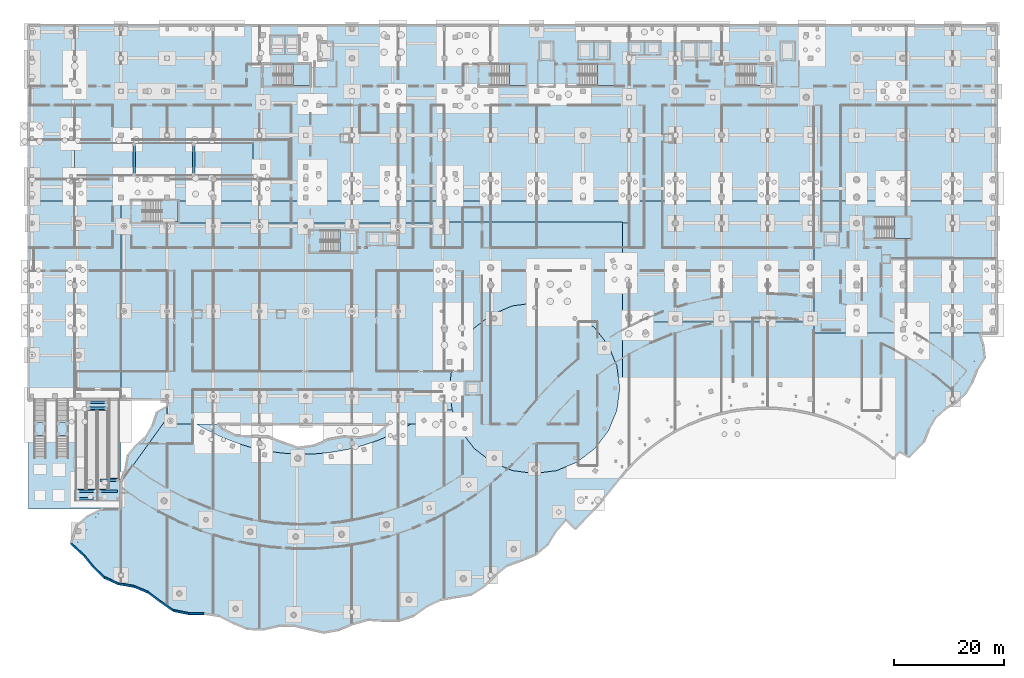
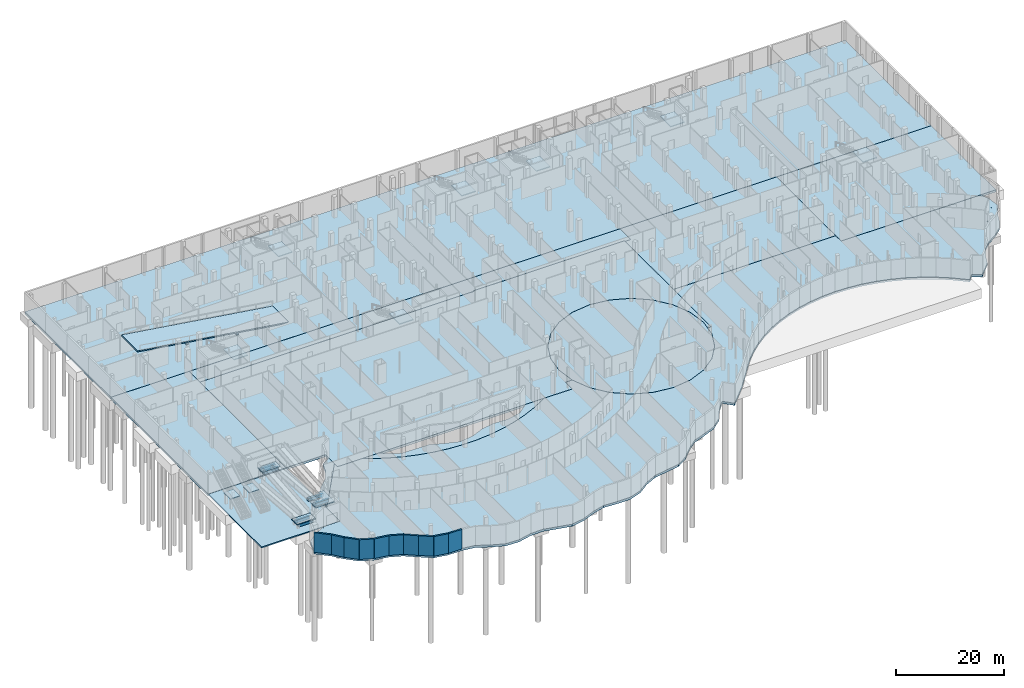
# One storey, part 24 of 45: 24 slabs, 10 walls, 8 beams, 12 elements without a shape of their own.
"""IFC4 building model written with IfcOpenShell, lengths in metres."""

from ifc_helpers import new_model, si_unit, direction, frame, frame_2d, origin, origin_2d, place, context, subcontext, project, spatial, polyline, rectangle, outline, extrude, material, layer, layer_set, material_profile, profile_set, type_object, element, aggregate, save


model = new_model("IFC4")

# Units and contexts
model_context = context("Model", 3, precision=1e-05, world=origin(), true_north=direction((0.0, 1.0)))
body_context = subcontext(model_context, "Body", "Model", "MODEL_VIEW")
ifc_project = project(units=[si_unit("LENGTHUNIT", "METRE"), si_unit("AREAUNIT", "SQUARE_METRE"), si_unit("VOLUMEUNIT", "CUBIC_METRE"), si_unit("PLANEANGLEUNIT", "RADIAN"), si_unit("MASSUNIT", "GRAM", prefix="KILO")], contexts=[model_context])

# Site, building, storey
site_placement = place(None, origin())
site = spatial("IfcSite", under=ifc_project, at=site_placement, CompositionType="ELEMENT")
building_placement = place(site_placement, origin())
building = spatial("IfcBuilding", under=site, at=building_placement, Name="Selatvlak General Hospital", CompositionType="ELEMENT")
storey_placement = place(building_placement, frame((0.0, 0.0, -4.800048828125)))
storey = spatial("IfcBuildingStorey", under=building, at=storey_placement, Name="B1", CompositionType="ELEMENT", Elevation=-4.800048828125)

# Beams
ifc_material_1 = material(Name="Concrete C40/50", Category="concrete")
ifc_material_profile = material_profile(ifc_material_1, rectangle(XDim=0.449951171875, YDim=0.64990234375, at=origin_2d()), Name="RC-BM 450x650")
ifc_profile_set = profile_set([ifc_material_profile], Name="Concrete C40/50")
beam_type = type_object("IfcBeamType", Name="BM-SUB", PredefinedType="BEAM", material=ifc_profile_set)
for number, where, z_axis, x_axis, name in (
    (1, (14.949951171875, 35.25, 0.655029296875), (1.0, 0.0, 0.0), (0.0, 1.0, 0.0), "Beam BMR-B1-2912"),
    (2, (14.949951171875, 33.949951171875, 0.655029296875), (1.0, 0.0, 0.0), (0.0, 1.0, 0.0), "Beam BMR-B1-2913"),
    (3, (16.949951171875, 50.35009765625, 1.85498046875), (1.0, 0.0, 0.0), (0.0, 1.0, 0.0), "Beam BMR-B1-2914"),
    (4, (16.949951171875, 51.449951171875, 1.85498046875), (1.0, 0.0, 0.0), (0.0, 1.0, 0.0), "Beam BMR-B1-2915"),
):
    element("IfcBeam", number, at=place(storey_placement, frame(where, z_axis=z_axis, x_axis=x_axis)), inside=storey, type_object=beam_type, Name=name, PredefinedType="BEAM", context=body_context, shape_type="SweptSolid", body=[
        extrude(rectangle(XDim=0.449951171875, YDim=0.64990234375, at=origin_2d()), origin(), (0.0, 0.0, 1.0), 3.10009765625),
    ])
for number, where, z_axis, x_axis, name in (
    (5, (18.949951171875, 35.25, 3.054931640625), (1.0, 0.0, 0.0), (0.0, 1.0, 0.0), "Beam BMR-B1-2916"),
    (6, (18.949951171875, 37.25, 3.054931640625), (1.0, 0.0, 0.0), (0.0, 1.0, 0.0), "Beam BMR-B1-2917"),
):
    element("IfcBeam", number, at=place(storey_placement, frame(where, z_axis=z_axis, x_axis=x_axis)), inside=storey, type_object=beam_type, Name=name, PredefinedType="BEAM", context=body_context, shape_type="SweptSolid", body=[
        extrude(rectangle(XDim=0.449951171875, YDim=0.64990234375, at=origin_2d()), origin(), (0.0, 0.0, 1.0), 3.199951171875),
    ])
for number, where, z_axis, x_axis, name in (
    (7, (25.199951171875, 92.85009765625, 2.6220703125), (0.0, 1.0, 0.0), (-1.0, 0.0, 0.0), "Vehicle ramp mid-span support beam 25"),
    (8, (36.0, 92.85009765625, 1.02197265625), (0.0, 1.0, 0.0), (-1.0, 0.0, 0.0), "Vehicle ramp mid-span support beam 36"),
):
    element("IfcBeam", number, at=place(storey_placement, frame(where, z_axis=z_axis, x_axis=x_axis)), inside=storey, type_object=beam_type, Name=name, PredefinedType="BEAM", context=body_context, shape_type="SweptSolid", body=[
        extrude(rectangle(XDim=0.449951171875, YDim=0.64990234375, at=origin_2d()), origin(), (0.0, 0.0, 1.0), 5.5),
    ])

# Stair, slab
ifc_material_2 = material(Name="Precast concrete C40/50", Category="concrete")
stair_type_1 = type_object("IfcStairType", Name="STAIR-ST-01", PredefinedType="HALF_TURN_STAIR", material=ifc_material_2)
stair_1_placement = place(storey_placement, origin())
stair_1 = element("IfcStair", 9, at=stair_1_placement, inside=storey, type_object=stair_type_1, Name="B1 Protected exit stair ST-01", PredefinedType="HALF_TURN_STAIR")
ifc_layer_1 = layer(ifc_material_1, 0.199951171875, Name="Concrete C40/50", Category="concrete")
ifc_layer_set_1 = layer_set([ifc_layer_1], Name="Concrete C40/50")
slab_type_1 = type_object("IfcSlabType", Name="SLAB-LND1", PredefinedType="LANDING", material=ifc_layer_set_1)
slab_1_placement = place(storey_placement, frame((0.0, 0.0, 2.199951171875)))
slab_1 = element("IfcSlab", 10, at=slab_1_placement, type_object=slab_type_1, Name="ST-01 landing 1", PredefinedType="LANDING", context=body_context, shape_type="SweptSolid", body=[
    extrude(outline(polyline([(54.06494140625, 109.0), (57.050048828125, 109.0), (57.050048828125, 112.93994140625), (54.06494140625, 112.93994140625), (54.06494140625, 109.0)])), origin(), (0.0, 0.0, 1.0), 0.2001953125),
])
aggregate(stair_1, [slab_1])

stair_type_2 = type_object("IfcStairType", Name="STAIR-ST-02", PredefinedType="HALF_TURN_STAIR", material=ifc_material_2)
stair_2_placement = place(storey_placement, origin())
stair_2 = element("IfcStair", 11, at=stair_2_placement, inside=storey, type_object=stair_type_2, Name="B1 Protected exit stair ST-02", PredefinedType="HALF_TURN_STAIR")
slab_2_placement = place(storey_placement, frame((0.0, 0.0, 2.199951171875)))
slab_2 = element("IfcSlab", 12, at=slab_2_placement, type_object=slab_type_1, Name="ST-02 landing 1", PredefinedType="LANDING", context=body_context, shape_type="SweptSolid", body=[
    extrude(outline(polyline([(93.4150390625, 109.0), (96.39990234375, 109.0), (96.39990234375, 112.93994140625), (93.4150390625, 112.93994140625), (93.4150390625, 109.0)])), origin(), (0.0, 0.0, 1.0), 0.2001953125),
])
aggregate(stair_2, [slab_2])

stair_type_3 = type_object("IfcStairType", Name="STAIR-ST-03", PredefinedType="HALF_TURN_STAIR", material=ifc_material_2)
stair_3_placement = place(storey_placement, origin())
stair_3 = element("IfcStair", 13, at=stair_3_placement, inside=storey, type_object=stair_type_3, Name="B1 Protected exit stair ST-03", PredefinedType="HALF_TURN_STAIR")
slab_3_placement = place(storey_placement, frame((0.0, 0.0, 2.199951171875)))
slab_3 = element("IfcSlab", 14, at=slab_3_placement, type_object=slab_type_1, Name="ST-03 landing 1", PredefinedType="LANDING", context=body_context, shape_type="SweptSolid", body=[
    extrude(outline(polyline([(109.4150390625, 109.0), (112.39990234375, 109.0), (112.39990234375, 112.93994140625), (109.4150390625, 112.93994140625), (109.4150390625, 109.0)])), origin(), (0.0, 0.0, 1.0), 0.2001953125),
])
aggregate(stair_3, [slab_3])

stair_type_4 = type_object("IfcStairType", Name="STAIR-ST-04", PredefinedType="HALF_TURN_STAIR", material=ifc_material_2)
stair_4_placement = place(storey_placement, origin())
stair_4 = element("IfcStair", 15, at=stair_4_placement, inside=storey, type_object=stair_type_4, Name="B1 Protected exit stair ST-04", PredefinedType="HALF_TURN_STAIR")
slab_4_placement = place(storey_placement, frame((0.0, 0.0, 2.199951171875)))
slab_4 = element("IfcSlab", 16, at=slab_4_placement, type_object=slab_type_1, Name="ST-04 landing 1", PredefinedType="LANDING", context=body_context, shape_type="SweptSolid", body=[
    extrude(outline(polyline([(138.215087890625, 109.0), (141.199951171875, 109.0), (141.199951171875, 112.93994140625), (138.215087890625, 112.93994140625), (138.215087890625, 109.0)])), origin(), (0.0, 0.0, 1.0), 0.2001953125),
])
aggregate(stair_4, [slab_4])

stair_type_5 = type_object("IfcStairType", Name="STAIR-ST-05", PredefinedType="HALF_TURN_STAIR", material=ifc_material_2)
stair_5_placement = place(storey_placement, origin())
stair_5 = element("IfcStair", 17, at=stair_5_placement, inside=storey, type_object=stair_type_5, Name="B1 Protected exit stair ST-05", PredefinedType="HALF_TURN_STAIR")
slab_5_placement = place(storey_placement, frame((0.0, 0.0, 2.199951171875)))
slab_5 = element("IfcSlab", 18, at=slab_5_placement, type_object=slab_type_1, Name="ST-05 landing 1", PredefinedType="LANDING", context=body_context, shape_type="SweptSolid", body=[
    extrude(outline(polyline([(62.614990234375, 78.800048828125), (65.60009765625, 78.800048828125), (65.60009765625, 82.739990234375), (62.614990234375, 82.739990234375), (62.614990234375, 78.800048828125)])), origin(), (0.0, 0.0, 1.0), 0.2001953125),
])
aggregate(stair_5, [slab_5])

stair_type_6 = type_object("IfcStairType", Name="STAIR-ST-06", PredefinedType="HALF_TURN_STAIR", material=ifc_material_2)
stair_6_placement = place(storey_placement, origin())
stair_6 = element("IfcStair", 19, at=stair_6_placement, inside=storey, type_object=stair_type_6, Name="B1 Protected exit stair ST-06", PredefinedType="HALF_TURN_STAIR")
slab_6_placement = place(storey_placement, frame((0.0, 0.0, 2.199951171875)))
slab_6 = element("IfcSlab", 20, at=slab_6_placement, type_object=slab_type_1, Name="ST-06 landing 1", PredefinedType="LANDING", context=body_context, shape_type="SweptSolid", body=[
    extrude(outline(polyline([(163.4150390625, 81.199951171875), (166.39990234375, 81.199951171875), (166.39990234375, 85.139892578125), (163.4150390625, 85.139892578125), (163.4150390625, 81.199951171875)])), origin(), (0.0, 0.0, 1.0), 0.2001953125),
])
aggregate(stair_6, [slab_6])

stair_type_7 = type_object("IfcStairType", Name="STAIR-ST-07", PredefinedType="HALF_TURN_STAIR", material=ifc_material_2)
stair_7_placement = place(storey_placement, origin())
stair_7 = element("IfcStair", 21, at=stair_7_placement, inside=storey, type_object=stair_type_7, Name="B1 Protected exit stair ST-07", PredefinedType="HALF_TURN_STAIR")
slab_7_placement = place(storey_placement, frame((0.0, 0.0, 2.199951171875)))
slab_7 = element("IfcSlab", 22, at=slab_7_placement, type_object=slab_type_1, Name="ST-07 landing 1", PredefinedType="LANDING", context=body_context, shape_type="SweptSolid", body=[
    extrude(outline(polyline([(30.215087890625, 84.199951171875), (33.199951171875, 84.199951171875), (33.199951171875, 88.139892578125), (30.215087890625, 88.139892578125), (30.215087890625, 84.199951171875)])), origin(), (0.0, 0.0, 1.0), 0.2001953125),
])
aggregate(stair_7, [slab_7])

stair_type_8 = type_object("IfcStairType", Name="STAIR-MON1", PredefinedType="STRAIGHT_RUN_STAIR", material=ifc_material_2)
stair_8_placement = place(storey_placement, origin())
stair_8 = element("IfcStair", 23, at=stair_8_placement, inside=storey, type_object=stair_type_8, Name="Sunken metro forecourt monumental stair ST-08", PredefinedType="STRAIGHT_RUN_STAIR")
slab_8_placement = place(storey_placement, frame((0.0, 0.0, 2.199951171875)))
slab_8 = element("IfcSlab", 24, at=slab_8_placement, type_object=slab_type_1, Name="ST-08 landing 1", PredefinedType="LANDING", context=body_context, shape_type="SweptSolid", body=[
    extrude(outline(polyline([(7.050048828125, 45.43994140625), (9.14990234375, 45.43994140625), (9.14990234375, 47.89501953125), (7.050048828125, 47.89501953125), (7.050048828125, 45.43994140625)])), origin(), (0.0, 0.0, 1.0), 0.2001953125),
])
aggregate(stair_8, [slab_8])

stair_type_9 = type_object("IfcStairType", Name="STAIR-MON2", PredefinedType="STRAIGHT_RUN_STAIR", material=ifc_material_2)
stair_9_placement = place(storey_placement, origin())
stair_9 = element("IfcStair", 25, at=stair_9_placement, inside=storey, type_object=stair_type_9, Name="Sunken metro forecourt monumental stair ST-09", PredefinedType="STRAIGHT_RUN_STAIR")
slab_9_placement = place(storey_placement, frame((0.0, 0.0, 2.199951171875)))
slab_9 = element("IfcSlab", 26, at=slab_9_placement, type_object=slab_type_1, Name="ST-09 landing 1", PredefinedType="LANDING", context=body_context, shape_type="SweptSolid", body=[
    extrude(outline(polyline([(11.14990234375, 45.43994140625), (13.25, 45.43994140625), (13.25, 47.89501953125), (11.14990234375, 47.89501953125), (11.14990234375, 45.43994140625)])), origin(), (0.0, 0.0, 1.0), 0.2001953125),
])
aggregate(stair_9, [slab_9])

# Ramp, slab
ramp_type = type_object("IfcRampType", Name="RAMP-ACC", PredefinedType="STRAIGHT_RUN_RAMP", material=ifc_material_1)
ramp_1_placement = place(storey_placement, origin())
ramp_1 = element("IfcRamp", 27, at=ramp_1_placement, inside=storey, type_object=ramp_type, Name="Accessible step-free ramp RMP-ACC-01", PredefinedType="STRAIGHT_RUN_RAMP")
ifc_layer_2 = layer(ifc_material_1, 0.219970703125, Name="Concrete C40/50", Category="concrete")
ifc_layer_set_2 = layer_set([ifc_layer_2], Name="Concrete C40/50")
slab_type_2 = type_object("IfcSlabType", Name="SLAB-LND2", PredefinedType="LANDING", material=ifc_layer_set_2)
slab_10_placement = place(storey_placement, frame((0.0, 0.0, 0.97998046875)))
slab_10 = element("IfcSlab", 28, at=slab_10_placement, type_object=slab_type_2, Name="Accessible ramp landing SL-ACCLND-01", PredefinedType="LANDING", context=body_context, shape_type="SweptSolid", body=[
    extrude(outline(polyline([(14.550048828125, 33.60009765625), (18.449951171875, 33.60009765625), (18.449951171875, 35.64990234375), (14.550048828125, 35.64990234375), (14.550048828125, 33.60009765625)])), origin(), (0.0, 0.0, 1.0), 0.219970703125),
])
aggregate(ramp_1, [slab_10])

ramp_2_placement = place(storey_placement, origin())
ramp_2 = element("IfcRamp", 29, at=ramp_2_placement, inside=storey, type_object=ramp_type, Name="Accessible step-free ramp RMP-ACC-02", PredefinedType="STRAIGHT_RUN_RAMP")
slab_11_placement = place(storey_placement, frame((0.0, 0.0, 2.179931640625)))
slab_11 = element("IfcSlab", 30, at=slab_11_placement, type_object=slab_type_2, Name="Accessible ramp landing SL-ACCLND-02", PredefinedType="LANDING", context=body_context, shape_type="SweptSolid", body=[
    extrude(outline(polyline([(16.550048828125, 49.949951171875), (20.449951171875, 49.949951171875), (20.449951171875, 51.75), (16.550048828125, 51.75), (16.550048828125, 49.949951171875)])), origin(), (0.0, 0.0, 1.0), 0.22021484375),
])
aggregate(ramp_2, [slab_11])

ramp_3_placement = place(storey_placement, origin())
ramp_3 = element("IfcRamp", 31, at=ramp_3_placement, inside=storey, type_object=ramp_type, Name="Accessible step-free ramp RMP-ACC-03", PredefinedType="STRAIGHT_RUN_RAMP")
slab_12_placement = place(storey_placement, frame((0.0, 0.0, 3.380126953125)))
slab_12 = element("IfcSlab", 32, at=slab_12_placement, type_object=slab_type_2, Name="Accessible ramp landing SL-ACCLND-03", PredefinedType="LANDING", context=body_context, shape_type="SweptSolid", body=[
    extrude(outline(polyline([(18.550048828125, 33.60009765625), (22.550048828125, 33.60009765625), (22.550048828125, 37.695068359375), (20.64990234375, 37.695068359375), (20.64990234375, 35.64990234375), (18.550048828125, 35.64990234375), (18.550048828125, 33.60009765625)])), origin(), (0.0, 0.0, 1.0), 0.219970703125),
])
aggregate(ramp_3, [slab_12])

# Slabs
ifc_material_3 = material(Name="Concrete C35/45", Category="concrete")
ifc_layer_3 = layer(ifc_material_3, 0.2451171875, Name="Concrete C35/45", Category="concrete")
ifc_layer_set_3 = layer_set([ifc_layer_3], Name="Concrete C35/45")
slab_type_3 = type_object("IfcSlabType", Name="SLAB-SL-AP1", PredefinedType="BASESLAB", material=ifc_layer_set_3)
slab_13_placement = place(storey_placement, frame((0.0, 0.0, -0.244873046875)))
element("IfcSlab", 33, at=slab_13_placement, inside=storey, type_object=slab_type_3, Name="Sunken Metro Forecourt terrace slab", PredefinedType="BASESLAB", context=body_context, shape_type="SweptSolid", body=[
    extrude(outline(polyline([(6.0, 32.0), (6.0, 51.800048828125), (22.800048828125, 51.800048828125), (22.800048828125, 32.0), (6.0, 32.0)])), origin(), (0.0, 0.0, 1.0), 0.244873046875),
])
ifc_layer_4 = layer(ifc_material_3, 0.5, Name="Concrete C35/45", Category="concrete")
ifc_layer_set_4 = layer_set([ifc_layer_4], Name="Concrete C35/45")
slab_type_4 = type_object("IfcSlabType", Name="SLAB-SL-BS1", PredefinedType="BASESLAB", material=ifc_layer_set_4)
slab_14_placement = place(storey_placement, frame((0.0, 0.0, -0.5)))
element("IfcSlab", 34, at=slab_14_placement, inside=storey, type_object=slab_type_4, Name="B1 V1 structural slab", PredefinedType="BASESLAB", context=body_context, shape_type="SweptSolid", body=[
    extrude(outline(polyline([(113.5, 54.0), (112.971923828125, 49.988037109375), (111.423095703125, 46.25), (108.9599609375, 43.0400390625), (105.75, 40.576904296875), (102.011962890625, 39.028076171875), (98.0, 38.5), (93.988037109375, 39.028076171875), (90.25, 40.576904296875), (87.0400390625, 43.0400390625), (84.576904296875, 46.25), (83.028076171875, 49.988037109375), (82.5, 54.0), (83.028076171875, 58.011962890625), (84.576904296875, 61.75), (87.0400390625, 64.9599609375), (90.25, 67.423095703125), (93.988037109375, 68.971923828125), (98.0, 69.5), (102.011962890625, 68.971923828125), (105.75, 67.423095703125), (108.9599609375, 64.9599609375), (111.423095703125, 61.75), (112.971923828125, 58.011962890625), (113.5, 54.0)])), origin(), (0.0, 0.0, 1.0), 0.5),
])
slab_15_placement = place(storey_placement, frame((0.0, 0.0, -0.5)))
element("IfcSlab", 35, at=slab_15_placement, inside=storey, type_object=slab_type_4, Name="B1 V2 structural slab", PredefinedType="BASESLAB", context=body_context, shape_type="SweptSolid", body=[
    extrude(outline(polyline([(14.39990234375, 52.0), (14.39990234375, 51.85009765625), (6.0, 51.85009765625), (6.0, 88.0), (22.800048828125, 88.0), (22.800048828125, 52.0), (14.39990234375, 52.0)])), origin(), (0.0, 0.0, 1.0), 0.5),
])
slab_16_placement = place(storey_placement, frame((0.0, 0.0, -0.5)))
element("IfcSlab", 36, at=slab_16_placement, inside=storey, type_object=slab_type_4, Name="B1 V3H structural slab", PredefinedType="BASESLAB", context=body_context, shape_type="SweptSolid", body=[
    extrude(outline(polyline([(81.60009765625, 84.199951171875), (114.0, 84.199951171875), (114.0, 52.0), (113.2451171875, 52.0), (113.508056640625, 53.9990234375), (112.97998046875, 58.012939453125), (111.429931640625, 61.7529296875), (108.966064453125, 64.965087890625), (105.7548828125, 67.428955078125), (102.014892578125, 68.97900390625), (98.0009765625, 69.508056640625), (93.987060546875, 68.97998046875), (90.2470703125, 67.429931640625), (87.034912109375, 64.966064453125), (84.571044921875, 61.7548828125), (83.02099609375, 58.014892578125), (82.491943359375, 54.0009765625), (83.01806640625, 50.0), (81.60009765625, 50.0), (81.60009765625, 47.5), (31.199951171875, 47.5), (31.199951171875, 52.0), (22.80810546875, 52.0), (22.80810546875, 84.0), (81.60009765625, 84.0), (81.60009765625, 84.199951171875)])), origin(), (0.0, 0.0, 1.0), 0.5),
])
slab_17_placement = place(storey_placement, frame((0.0, 0.0, -0.5)))
element("IfcSlab", 37, at=slab_17_placement, inside=storey, type_object=slab_type_4, Name="B1 V3S structural slab", PredefinedType="BASESLAB", context=body_context, shape_type="SweptSolid", body=[
    extrude(outline(polyline([(115.199951171875, 88.0), (115.199951171875, 84.0), (114.008056640625, 84.0), (114.008056640625, 84.199951171875), (81.60009765625, 84.2080078125), (81.592041015625, 84.008056640625), (22.80810546875, 84.008056640625), (22.80810546875, 88.0), (115.199951171875, 88.0)])), origin(), (0.0, 0.0, 1.0), 0.5),
])
slab_18_placement = place(storey_placement, frame((0.0, 0.0, -0.5)))
element("IfcSlab", 38, at=slab_18_placement, inside=storey, type_object=slab_type_4, Name="B1 V4 structural slab", PredefinedType="BASESLAB", context=body_context, shape_type="SweptSolid", body=[
    extrude(outline(polyline([(148.800048828125, 88.0), (148.800048828125, 66.0), (114.008056640625, 66.0), (114.008056640625, 83.991943359375), (115.199951171875, 83.991943359375), (115.2080078125, 88.0), (148.800048828125, 88.0)])), origin(), (0.0, 0.0, 1.0), 0.5),
])
slab_19_placement = place(storey_placement, frame((0.0, 0.0, -0.5)))
element("IfcSlab", 39, at=slab_19_placement, inside=storey, type_object=slab_type_4, Name="B1 V5N structural slab", PredefinedType="BASESLAB", context=body_context, shape_type="SweptSolid", body=[
    extrude(outline(polyline([(182.0, 88.0), (6.0, 88.008056640625), (6.0, 120.0), (182.0, 120.0), (182.0, 88.0)])), origin(), (0.0, 0.0, 1.0), 0.5),
])
slab_20_placement = place(storey_placement, frame((0.0, 0.0, -0.5)))
element("IfcSlab", 40, at=slab_20_placement, inside=storey, type_object=slab_type_4, Name="B1 V5E structural slab", PredefinedType="BASESLAB", context=body_context, shape_type="SweptSolid", body=[
    extrude(outline(polyline([(182.0, 64.0), (148.800048828125, 64.0), (148.80810546875, 87.991943359375), (182.0, 87.991943359375), (182.0, 64.0)])), origin(), (0.0, 0.0, 1.0), 0.5),
])
slab_21_placement = place(storey_placement, frame((0.0, 0.0, -0.5)))
element("IfcSlab", 41, at=slab_21_placement, inside=storey, type_object=slab_type_4, Name="B1 V6A structural slab", PredefinedType="BASESLAB", context=body_context, shape_type="SweptSolid", body=[
    extrude(outline(polyline([(49.06298828125, 42.64697265625), (52.011962890625, 42.212890625), (54.988037109375, 42.012939453125), (57.967041015625, 42.051025390625), (60.93603515625, 42.325927734375), (63.873046875, 42.8359375), (66.763916015625, 43.5791015625), (69.58203125, 44.5458984375), (72.31396484375, 45.735107421875), (74.947021484375, 47.138916015625), (75.4990234375, 47.491943359375), (81.60009765625, 47.491943359375), (81.60791015625, 49.991943359375), (83.01806640625, 49.991943359375), (84.570068359375, 46.2470703125), (87.033935546875, 43.034912109375), (90.2451171875, 40.571044921875), (93.985107421875, 39.02099609375), (97.9990234375, 38.491943359375), (102.012939453125, 39.02001953125), (105.7529296875, 40.570068359375), (108.965087890625, 43.033935546875), (111.428955078125, 46.2451171875), (112.97900390625, 49.985107421875), (113.243896484375, 51.991943359375), (114.0, 51.991943359375), (114.008056640625, 65.991943359375), (148.7919921875, 65.991943359375), (148.7919921875, 64.0), (178.800048828125, 63.991943359375), (178.800048828125, 59.947998046875), (165.56201171875, 43.9619140625), (178.802978515625, 59.946044921875), (178.803955078125, 63.919921875), (178.830078125, 63.919921875), (179.554931640625, 61.97412109375), (179.85693359375, 59.5390625), (178.445068359375, 57.248046875), (177.5400390625, 55.0029296875), (176.366943359375, 52.97998046875), (174.613037109375, 51.43798828125), (172.575927734375, 50.131103515625), (170.845947265625, 48.569091796875), (169.695068359375, 46.528076171875), (168.7890625, 44.283935546875), (166.06396484375, 41.448974609375), (164.3310546875, 42.47607421875), (163.26611328125, 41.18896484375), (160.51708984375, 43.487060546875), (158.2080078125, 45.093994140625), (155.77294921875, 46.507080078125), (153.22998046875, 47.7119140625), (150.597900390625, 48.700927734375), (147.89306640625, 49.468994140625), (145.131103515625, 50.009033203125), (142.3330078125, 50.319091796875), (139.52001953125, 50.39697265625), (136.714111328125, 50.240966796875), (133.926025390625, 49.85107421875), (131.179931640625, 49.23291015625), (128.4990234375, 48.389892578125), (125.89501953125, 47.325927734375), (123.384033203125, 46.049072265625), (120.992919921875, 44.570068359375), (118.73095703125, 42.89697265625), (116.614990234375, 41.0419921875), (114.659912109375, 39.01806640625), (112.4140625, 36.243896484375), (109.31103515625, 32.4560546875), (105.405029296875, 28.368896484375), (103.696044921875, 30.138916015625), (101.909912109375, 28.0419921875), (100.39306640625, 25.573974609375), (98.27392578125, 23.77294921875), (95.633056640625, 22.696044921875), (92.97998046875, 21.73193359375), (90.85595703125, 19.9619140625), (88.83203125, 17.93310546875), (86.462890625, 16.462890625), (83.6240234375, 16.010986328125), (80.864990234375, 15.510009765625), (78.385009765625, 14.322998046875), (76.031982421875, 12.6279296875), (73.39892578125, 11.72900390625), (70.556884765625, 11.72802734375), (67.72998046875, 11.906005859375), (65.077880859375, 11.157958984375), (62.426025390625, 10.06494140625), (59.676025390625, 9.56494140625), (56.883056640625, 10.212890625), (54.14404296875, 10.860107421875), (51.404052734375, 10.787109375), (48.5810546875, 10.133056640625), (45.797119140625, 10.260986328125), (43.166015625, 11.322998046875), (40.634033203125, 12.62109375), (37.9150390625, 13.01806640625), (35.050048828125, 13.0380859375), (32.302978515625, 13.58203125), (29.964111328125, 15.22412109375), (27.702880859375, 16.9150390625), (25.176025390625, 17.966064453125), (22.322998046875, 18.458984375), (19.77392578125, 19.60107421875), (17.740966796875, 21.56201171875), (16.135009765625, 23.552001953125), (13.699951171875, 25.777099609375), (14.794921875, 29.10009765625), (16.777099609375, 30.73388671875), (19.112060546875, 31.919921875), (19.20703125, 31.919921875), (14.916015625, 25.9541015625), (18.797119140625, 23.173095703125), (23.39111328125, 20.39501953125), (28.18896484375, 17.990966796875), (33.1630859375, 15.97607421875), (38.281005859375, 14.363037109375), (43.511962890625, 13.160888671875), (48.821044921875, 12.37890625), (54.176025390625, 12.02099609375), (59.54296875, 12.089111328125), (64.887939453125, 12.583984375), (70.176025390625, 13.501953125), (75.37109375, 14.8349609375), (80.448974609375, 16.577880859375), (85.3720703125, 18.720947265625), (90.10498046875, 21.2451171875), (94.6259765625, 24.138916015625), (98.902099609375, 27.384033203125), (102.906982421875, 30.955078125), (98.89990234375, 27.386962890625), (94.6240234375, 24.14208984375), (90.10302734375, 21.2490234375), (85.3701171875, 18.72509765625), (80.447998046875, 16.58203125), (75.3701171875, 14.839111328125), (70.175048828125, 13.506103515625), (64.887939453125, 12.587890625), (59.54296875, 12.093017578125), (54.176025390625, 12.02490234375), (48.822021484375, 12.383056640625), (43.512939453125, 13.1650390625), (38.281982421875, 14.366943359375), (33.1650390625, 15.97998046875), (28.19091796875, 17.9951171875), (23.39306640625, 20.39794921875), (18.799072265625, 23.176025390625), (14.9189453125, 25.951904296875), (19.259033203125, 31.985107421875), (22.800048828125, 31.985107421875), (22.81494140625, 31.9990234375), (22.81494140625, 36.928955078125), (31.19189453125, 48.574951171875), (31.19189453125, 47.5), (36.51708984375, 47.491943359375), (37.883056640625, 46.666015625), (40.549072265625, 45.3310546875), (43.31298828125, 44.2119140625), (46.157958984375, 43.31494140625), (49.06298828125, 42.64697265625)])), origin(), (0.0, 0.0, 1.0), 0.5),
])
slab_22_placement = place(storey_placement, frame((0.0, 0.0, -0.5)))
element("IfcSlab", 42, at=slab_22_placement, inside=storey, type_object=slab_type_4, Name="B1 V6B structural slab", PredefinedType="BASESLAB", context=body_context, shape_type="SweptSolid", body=[
    extrude(outline(polyline([(22.8798828125, 37.02587890625), (22.8798828125, 37.136962890625), (23.610107421875, 39.22998046875), (24.054931640625, 41.81396484375), (25.56103515625, 43.635009765625), (27.3720703125, 45.236083984375), (28.56591796875, 47.281982421875), (29.342041015625, 49.6279296875), (31.19189453125, 50.708984375), (31.19189453125, 48.58203125), (22.8798828125, 37.02587890625)])), origin(), (0.0, 0.0, 1.0), 0.5),
])
slab_23_placement = place(storey_placement, frame((0.0, 0.0, -0.5)))
element("IfcSlab", 43, at=slab_23_placement, inside=storey, type_object=slab_type_4, Name="B1 V6C structural slab", PredefinedType="BASESLAB", context=body_context, shape_type="SweptSolid", body=[
    extrude(outline(polyline([(57.886962890625, 43.569091796875), (60.616943359375, 44.72412109375), (63.37109375, 45.169921875), (66.340087890625, 44.992919921875), (69.156005859375, 45.64306640625), (71.425048828125, 47.491943359375), (75.490966796875, 47.491943359375), (74.945068359375, 47.14208984375), (72.31201171875, 45.739013671875), (69.5810546875, 44.550048828125), (66.762939453125, 43.5830078125), (63.8720703125, 42.840087890625), (60.93505859375, 42.330078125), (57.967041015625, 42.054931640625), (54.988037109375, 42.01708984375), (52.011962890625, 42.217041015625), (49.06396484375, 42.65087890625), (46.158935546875, 43.319091796875), (43.31396484375, 44.216064453125), (40.551025390625, 45.3349609375), (37.885009765625, 46.669921875), (36.52490234375, 47.491943359375), (40.26708984375, 47.491943359375), (41.137939453125, 46.634033203125), (43.718017578125, 45.340087890625), (46.69189453125, 45.277099609375), (49.5380859375, 45.1708984375), (52.217041015625, 44.131103515625), (55.02001953125, 43.173095703125), (57.886962890625, 43.569091796875)])), origin(), (0.0, 0.0, 1.0), 0.5),
])
ifc_layer_5 = layer(ifc_material_3, 0.25, Name="Concrete C35/45", Category="concrete")
ifc_layer_set_5 = layer_set([ifc_layer_5], Name="Concrete C35/45")
slab_type_5 = type_object("IfcSlabType", Name="SLAB-SL-VR1", PredefinedType="FLOOR", material=ifc_layer_set_5)
slab_24_placement = place(storey_placement, frame((46.844970703125, 92.60009765625, 0.0), z_axis=(0.146329364916, 0.0, 0.989235925835), x_axis=(-0.989235925835, 0.0, 0.146329364916)))
element("IfcSlab", 44, at=slab_24_placement, inside=storey, type_object=slab_type_5, Name="B1 to L00 two-way vehicle ramp structural slab", PredefinedType="FLOOR", context=body_context, shape_type="SweptSolid", body=[
    extrude(outline(polyline([(0.0, 0.0), (32.8030455874063, 0.0), (32.8030455874063, -6.000000000000002), (0.0, -6.000000000000002), (0.0, 0.0)])), origin(), (0.0, 0.0, -1.0), 0.25),
])

# Walls
ifc_material_4 = material(Name="Concrete C45/55", Category="concrete")
ifc_layer_6 = layer(ifc_material_4, 0.35009765625, Name="Concrete C45/55", Category="concrete")
ifc_layer_set_6 = layer_set([ifc_layer_6], Name="Concrete C45/55")
wall_type = type_object("IfcWallType", Name="WALL-EW-05", PredefinedType="SHEAR", material=ifc_layer_set_6)
wall_1_placement = place(storey_placement, frame((37.9189453125, 13.01708984375, 0.0), z_axis=(0.0, 0.0, 1.0), x_axis=(-0.999973202424, 0.007320821947, 0.0)))
element("IfcWall", 45, at=wall_1_placement, inside=storey, type_object=wall_type, Name="B1 retaining wall 0100", PredefinedType="SHEAR", context=body_context, shape_type="SweptSolid", body=[
    extrude(rectangle(XDim=2.867919921875, YDim=0.35009765625, at=frame_2d((1.43408203125, 0.0))), origin(), (0.0, 0.0, 1.0), 4.449951171875),
])
wall_2_placement = place(storey_placement, frame((35.051025390625, 13.0380859375, 0.0), z_axis=(0.0, 0.0, 1.0), x_axis=(-0.980941260915, 0.194304510074, 0.0)))
element("IfcWall", 46, at=wall_2_placement, inside=storey, type_object=wall_type, Name="B1 retaining wall 0101", PredefinedType="SHEAR", context=body_context, shape_type="SweptSolid", body=[
    extrude(rectangle(XDim=2.799560546875, YDim=0.35009765625, at=frame_2d((1.39990234375, 0.0))), origin(), (0.0, 0.0, 1.0), 4.449951171875),
])
wall_3_placement = place(storey_placement, frame((32.304931640625, 13.58203125, 0.0), z_axis=(0.0, 0.0, 1.0), x_axis=(-0.818653879161, 0.574287233129, 0.0)))
element("IfcWall", 47, at=wall_3_placement, inside=storey, type_object=wall_type, Name="B1 retaining wall 0102", PredefinedType="SHEAR", context=body_context, shape_type="SweptSolid", body=[
    extrude(rectangle(XDim=2.859375, YDim=0.35009765625, at=frame_2d((1.4296875, 0.0))), origin(), (0.0, 0.0, 1.0), 4.449951171875),
])
wall_4_placement = place(storey_placement, frame((29.964111328125, 15.22412109375, 0.0), z_axis=(0.0, 0.0, 1.0), x_axis=(-0.800779557006, 0.598959181482, 0.0)))
element("IfcWall", 48, at=wall_4_placement, inside=storey, type_object=wall_type, Name="B1 retaining wall 0103", PredefinedType="SHEAR", context=body_context, shape_type="SweptSolid", body=[
    extrude(rectangle(XDim=2.816162109375, YDim=0.35009765625, at=frame_2d((1.408203125, 0.0))), origin(), (0.0, 0.0, 1.0), 4.449951171875),
])
wall_5_placement = place(storey_placement, frame((27.708984375, 16.910888671875, 0.0), z_axis=(0.0, 0.0, 1.0), x_axis=(-0.923200896041, 0.384317714331, 0.0)))
element("IfcWall", 49, at=wall_5_placement, inside=storey, type_object=wall_type, Name="B1 retaining wall 0104", PredefinedType="SHEAR", context=body_context, shape_type="SweptSolid", body=[
    extrude(rectangle(XDim=2.7373046875, YDim=0.35009765625, at=frame_2d((1.36865234375, 0.0))), origin(), (0.0, 0.0, 1.0), 4.449951171875),
])
wall_6_placement = place(storey_placement, frame((25.181884765625, 17.962890625, 0.0), z_axis=(0.0, 0.0, 1.0), x_axis=(-0.985266066701, 0.171028587693, 0.0)))
element("IfcWall", 50, at=wall_6_placement, inside=storey, type_object=wall_type, Name="B1 retaining wall 0105", PredefinedType="SHEAR", context=body_context, shape_type="SweptSolid", body=[
    extrude(rectangle(XDim=2.900634765625, YDim=0.35009765625, at=frame_2d((1.4501953125, 0.0))), origin(), (0.0, 0.0, 1.0), 4.449951171875),
])
wall_7_placement = place(storey_placement, frame((22.323974609375, 18.458984375, 0.0), z_axis=(0.0, 0.0, 1.0), x_axis=(-0.912719610164, 0.408586481937, 0.0)))
element("IfcWall", 51, at=wall_7_placement, inside=storey, type_object=wall_type, Name="B1 retaining wall 0106", PredefinedType="SHEAR", context=body_context, shape_type="SweptSolid", body=[
    extrude(rectangle(XDim=2.792724609375, YDim=0.35009765625, at=frame_2d((1.396484375, 0.0))), origin(), (0.0, 0.0, 1.0), 4.449951171875),
])
wall_8_placement = place(storey_placement, frame((19.77490234375, 19.60009765625, 0.0), z_axis=(0.0, 0.0, 1.0), x_axis=(-0.719740942963, 0.694242734944, 0.0)))
element("IfcWall", 52, at=wall_8_placement, inside=storey, type_object=wall_type, Name="B1 retaining wall 0107", PredefinedType="SHEAR", context=body_context, shape_type="SweptSolid", body=[
    extrude(rectangle(XDim=2.824462890625, YDim=0.35009765625, at=frame_2d((1.412109375, 0.0))), origin(), (0.0, 0.0, 1.0), 4.449951171875),
])
wall_9_placement = place(storey_placement, frame((17.741943359375, 21.56103515625, 0.0), z_axis=(0.0, 0.0, 1.0), x_axis=(-0.628116773829, 0.778119090136, 0.0)))
element("IfcWall", 53, at=wall_9_placement, inside=storey, type_object=wall_type, Name="B1 retaining wall 0108", PredefinedType="SHEAR", context=body_context, shape_type="SweptSolid", body=[
    extrude(rectangle(XDim=2.5537109375, YDim=0.35009765625, at=frame_2d((1.27685546875, 0.0))), origin(), (0.0, 0.0, 1.0), 4.449951171875),
])
wall_10_placement = place(storey_placement, frame((16.137939453125, 23.548095703125, 0.0), z_axis=(0.0, 0.0, 1.0), x_axis=(-0.738080361512, 0.674712812943, 0.0)))
element("IfcWall", 54, at=wall_10_placement, inside=storey, type_object=wall_type, Name="B1 retaining wall 0109", PredefinedType="SHEAR", context=body_context, shape_type="SweptSolid", body=[
    extrude(rectangle(XDim=3.3017578125, YDim=0.35009765625, at=frame_2d((1.65087890625, 0.0))), origin(), (0.0, 0.0, 1.0), 4.449951171875),
])

save(model, "model.ifc")
